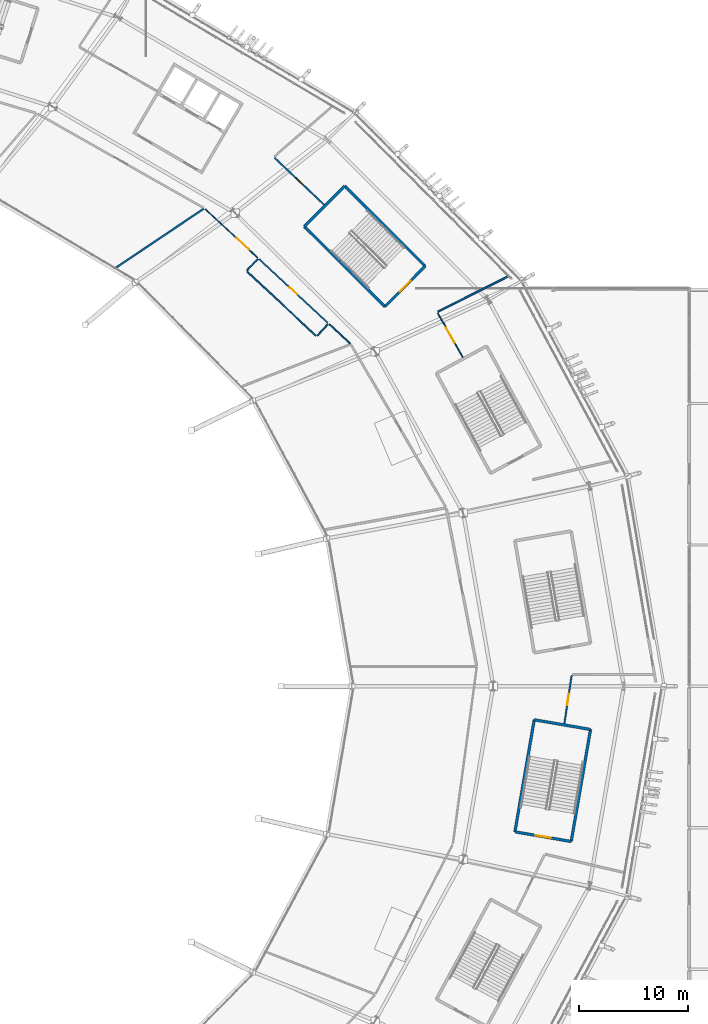
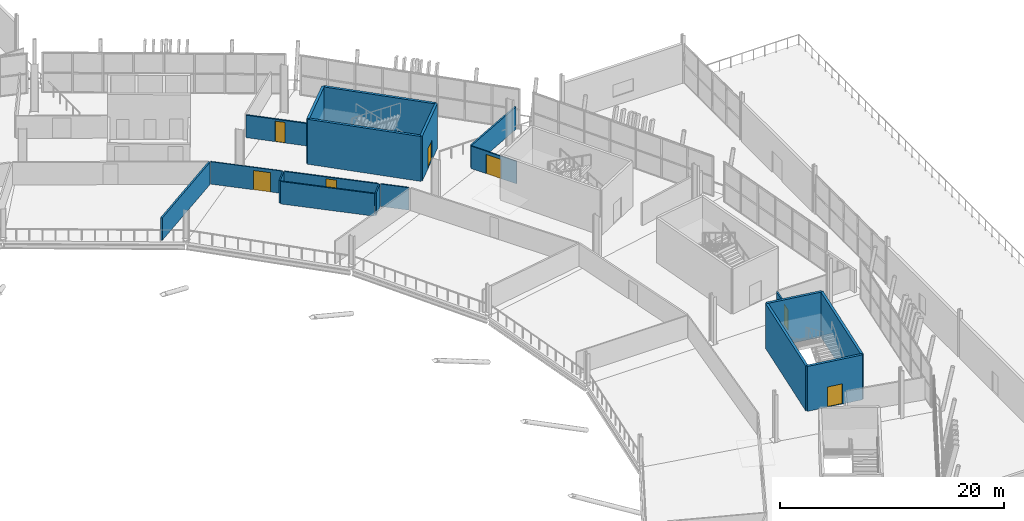
# One storey, part 123 of 168: 19 walls, 7 doors, 7 openings.
"""IFC4 building model written with IfcOpenShell, lengths in metres."""

from ifc_helpers import new_model, si_unit, direction, frame, frame_2d, origin, place, context, subcontext, project, spatial, rectangle, extrude, material, layer, layer_set, type_object, element, fill, save


model = new_model("IFC4")

# Units and contexts
model_context = context("Model", 3, precision=1e-05, world=origin(), true_north=direction((0.0, 1.0)))
body_context = subcontext(model_context, "Body", "Model", "MODEL_VIEW")
ifc_project = project(units=[si_unit("LENGTHUNIT", "METRE"), si_unit("AREAUNIT", "SQUARE_METRE"), si_unit("VOLUMEUNIT", "CUBIC_METRE"), si_unit("PLANEANGLEUNIT", "RADIAN"), si_unit("MASSUNIT", "GRAM", prefix="KILO")], contexts=[model_context])

# Site, building, storey
site_placement = place(None, origin())
site = spatial("IfcSite", under=ifc_project, at=site_placement, CompositionType="ELEMENT")
building_placement = place(site_placement, origin())
building = spatial("IfcBuilding", under=site, at=building_placement, Name="Zlatoyarsky Gate Stadium", CompositionType="ELEMENT")
storey_placement = place(building_placement, frame((0.0, 0.0, 15.60009765625)))
storey = spatial("IfcBuildingStorey", under=building, at=storey_placement, Name="L03", CompositionType="ELEMENT", Elevation=15.60009765625)

# Walls
ifc_material_1 = material(Name="Double-stud acoustic gypsum partition", Category="gypsum")
ifc_layer_1 = layer(ifc_material_1, 0.169921875)
ifc_layer_set_1 = layer_set([ifc_layer_1], Name="Double-stud acoustic gypsum partition")
wall_type_1 = type_object("IfcWallType", Name="ACOUSTIC BROADCAST STUDIO WALL 170", PredefinedType="PARTITIONING", material=ifc_layer_set_1)
wall_1_placement = place(storey_placement, frame((157.302734375, 118.470703125, 0.0), z_axis=(0.0, 0.0, 1.0), x_axis=(0.830081401919, 0.557642238526, 0.0)))
element("IfcWall", 1, at=wall_1_placement, inside=storey, type_object=wall_type_1, Name="L03 interior partition PRT-L03-IRD-03", PredefinedType="PARTITIONING", context=body_context, shape_type="SweptSolid", body=[
    extrude(rectangle(XDim=9.716796875, YDim=0.169921875, at=frame_2d((4.8583984375, 0.0))), origin(), (0.0, 0.0, 1.0), 2.449951171875),
])
ifc_material_2 = material(Name="Anodised aluminium acoustic operable wall", Category="aluminium")
ifc_layer_2 = layer(ifc_material_2, 0.114990234375)
ifc_layer_set_2 = layer_set([ifc_layer_2], Name="Anodised aluminium acoustic operable wall")
wall_type_2 = type_object("IfcWallType", Name="ACOUSTIC OPERABLE SUITE WALL 115", PredefinedType="MOVABLE", material=ifc_layer_set_2)
wall_2_placement = place(storey_placement, frame((178.837158203125, 111.502685546875, 0.0), z_axis=(0.0, 0.0, 1.0), x_axis=(-0.732978614057, 0.680251682347, 0.0)))
element("IfcWall", 2, at=wall_2_placement, inside=storey, type_object=wall_type_2, Name="L03 interior partition PRT-L03-WCL-02", PredefinedType="MOVABLE", context=body_context, shape_type="SweptSolid", body=[
    extrude(rectangle(XDim=2.6298828125, YDim=0.114990234375, at=frame_2d((1.31494140625, 0.0))), origin(), (0.0, 0.0, 1.0), 2.449951171875),
])

# Wall, opening, door
ifc_material_3 = material(Name="Metal-stud gypsum partition", Category="gypsum")
ifc_layer_3 = layer(ifc_material_3, 0.14990234375)
ifc_layer_set_3 = layer_set([ifc_layer_3], Name="Metal-stud gypsum partition")
wall_type_3 = type_object("IfcWallType", Name="CONCOURSE CORRIDOR PARTITION 150", PredefinedType="PARTITIONING", material=ifc_layer_set_3)
wall_3_placement = place(storey_placement, frame((176.439208984375, 124.270263671875, 0.0), z_axis=(0.0, 0.0, 1.0), x_axis=(-0.72578901813, 0.687917365068, 0.0)))
wall_3 = element("IfcWall", 3, at=wall_3_placement, inside=storey, type_object=wall_type_3, Name="L03 interior partition PRT-L03-OCC-02-1", PredefinedType="PARTITIONING", context=body_context, shape_type="SweptSolid", body=[
    extrude(rectangle(XDim=6.2724609375, YDim=0.14990234375, at=frame_2d((3.13623046875, 0.0))), origin(), (0.0, 0.0, 1.0), 2.449951171875),
])
opening_1_placement = place(wall_3_placement, frame((2.686279296875, 0.0, 0.0)))
opening_1 = element("IfcOpeningElement", 4, at=opening_1_placement, cuts=wall_3, Name="Opening D-L03-452", PredefinedType="OPENING", context=body_context, shape_type="SweptSolid", body=[
    extrude(rectangle(XDim=0.89990234375, YDim=2.239990234375, at=frame_2d((0.449951171875, 1.1201171875))), frame((0.0, 0.0849609375, 0.0), z_axis=(0.0, -1.0, 0.0), x_axis=(1.0, 0.0, 0.0)), (0.0, 0.0, 1.0), 0.169921875),
])
ifc_material_4 = material(Name="Powder-coated steel fire door", Category="steel")
door_type_1 = type_object("IfcDoorType", Name="ACOUSTIC INTERIOR DOOR 900X2240", OperationType="NOTDEFINED", PredefinedType="DOOR", material=ifc_material_4)
door_1_placement = place(opening_1_placement, origin())
door_1 = element("IfcDoor", 5, at=door_1_placement, inside=storey, type_object=door_type_1, Name="L03 room door D-L03-452", OperationType="SINGLE_SWING_RIGHT", OverallHeight=2.239990234375, OverallWidth=0.89990234375, PredefinedType="DOOR", context=body_context, shape_type="SweptSolid", body=[
    extrude(rectangle(XDim=0.89990234375, YDim=2.239990234375, at=frame_2d((0.449951171875, 1.1201171875))), frame((0.0, 0.02490234375, 0.0), z_axis=(0.0, -1.0, 0.0), x_axis=(1.0, 0.0, 0.0)), (0.0, 0.0, 1.0), 0.050048828125),
])
fill(opening_1, door_1)

wall_4_placement = place(storey_placement, frame((198.53662109375, 76.576904296875, 0.0), z_axis=(0.0, 0.0, 1.0), x_axis=(0.148364476021, 0.988932749106, 0.0)))
wall_4 = element("IfcWall", 6, at=wall_4_placement, inside=storey, type_object=wall_type_3, Name="L03 interior partition PRT-L03-OCC-23-1", PredefinedType="PARTITIONING", context=body_context, shape_type="SweptSolid", body=[
    extrude(rectangle(XDim=4.47265625, YDim=0.14990234375, at=frame_2d((2.236328125, 0.0))), origin(), (0.0, 0.0, 1.0), 2.449951171875),
])
opening_2_placement = place(wall_4_placement, frame((1.726318359375, 0.0, 0.0)))
opening_2 = element("IfcOpeningElement", 7, at=opening_2_placement, cuts=wall_4, Name="Opening D-L03-492", PredefinedType="OPENING", context=body_context, shape_type="SweptSolid", body=[
    extrude(rectangle(XDim=1.02001953125, YDim=2.239990234375, at=frame_2d((0.510009765625, 1.1201171875))), frame((0.0, 0.0849609375, 0.0), z_axis=(0.0, -1.0, 0.0), x_axis=(1.0, 0.0, 0.0)), (0.0, 0.0, 1.0), 0.169921875),
])
door_type_2 = type_object("IfcDoorType", Name="ACOUSTIC INTERIOR DOOR 1020X2240", OperationType="NOTDEFINED", PredefinedType="DOOR", material=ifc_material_4)
door_2_placement = place(opening_2_placement, origin())
door_2 = element("IfcDoor", 8, at=door_2_placement, inside=storey, type_object=door_type_2, Name="L03 room door D-L03-492", OperationType="SINGLE_SWING_LEFT", OverallHeight=2.239990234375, OverallWidth=1.02001953125, PredefinedType="DOOR", context=body_context, shape_type="SweptSolid", body=[
    extrude(rectangle(XDim=1.02001953125, YDim=2.239990234375, at=frame_2d((0.510009765625, 1.1201171875))), frame((0.0, 0.02490234375, 0.0), z_axis=(0.0, -1.0, 0.0), x_axis=(1.0, 0.0, 0.0)), (0.0, 0.0, 1.0), 0.050048828125),
])
fill(opening_2, door_2)

ifc_material_5 = material(Name="Concrete C40/50", Category="concrete")
ifc_layer_4 = layer(ifc_material_5, 0.25)
ifc_layer_set_4 = layer_set([ifc_layer_4], Name="Concrete C40/50")
wall_type_4 = type_object("IfcWallType", Name="CONCRETE STAIR CORE SHEAR WALL 250", PredefinedType="SHEAR", material=ifc_layer_set_4)
wall_5_placement = place(storey_placement, frame((182.038818359375, 114.89794921875, 0.0), z_axis=(0.0, 0.0, 1.0), x_axis=(0.705314141126, 0.708894888067, 0.0)))
wall_5 = element("IfcWall", 9, at=wall_5_placement, inside=storey, type_object=wall_type_4, Name="ST-02 L03 stair core entrance shear wall", PredefinedType="SHEAR", context=body_context, shape_type="SweptSolid", body=[
    extrude(rectangle(XDim=5.25, YDim=0.25, at=frame_2d((2.625, 0.0))), origin(), (0.0, 0.0, 1.0), 4.89990234375),
])
opening_3_placement = place(wall_5_placement, frame((1.925048828125, 0.0, 0.0)))
opening_3 = element("IfcOpeningElement", 10, at=opening_3_placement, cuts=wall_5, Name="Opening SD-ST-02-L03", PredefinedType="OPENING", context=body_context, shape_type="SweptSolid", body=[
    extrude(rectangle(XDim=1.39990234375, YDim=2.199951171875, at=frame_2d((0.699951171875, 1.10009765625))), frame((0.0, 0.135009765625, 0.0), z_axis=(0.0, -1.0, 0.0), x_axis=(1.0, 0.0, 0.0)), (0.0, 0.0, 1.0), 0.27001953125),
])
door_type_3 = type_object("IfcDoorType", Name="STAIR CORE FIRE EXIT DOOR 1400X2200", OperationType="NOTDEFINED", PredefinedType="DOOR", material=ifc_material_4)
door_3_placement = place(opening_3_placement, frame((1.39990234375, 0.0, 0.0), z_axis=(0.0, 0.0, 1.0), x_axis=(-1.0, 0.0, 0.0)))
door_3 = element("IfcDoor", 11, at=door_3_placement, inside=storey, type_object=door_type_3, Name="ST-02 L03 stair fire door", OperationType="SINGLE_SWING_LEFT", OverallHeight=2.199951171875, OverallWidth=1.39990234375, PredefinedType="DOOR", context=body_context, shape_type="SweptSolid", body=[
    extrude(rectangle(XDim=1.39990234375, YDim=2.199951171875, at=frame_2d((0.699951171875, 1.10009765625))), frame((0.0, 0.02490234375, 0.0), z_axis=(0.0, -1.0, 0.0), x_axis=(1.0, 0.0, 0.0)), (0.0, 0.0, 1.0), 0.050048828125),
])
fill(opening_3, door_3)

# Walls
wall_6_placement = place(storey_placement, frame((185.74169921875, 118.61962890625, 0.0), z_axis=(0.0, 0.0, 1.0), x_axis=(-0.708891762409, 0.705317282639, 0.0)))
element("IfcWall", 12, at=wall_6_placement, inside=storey, type_object=wall_type_4, Name="ST-02 L03 stair core left shear wall", PredefinedType="SHEAR", context=body_context, shape_type="SweptSolid", body=[
    extrude(rectangle(XDim=10.449951171875, YDim=0.25, at=frame_2d((5.22509765625, 0.0))), origin(), (0.0, 0.0, 1.0), 4.89990234375),
])
wall_7_placement = place(storey_placement, frame((178.333740234375, 125.990234375, 0.0), z_axis=(0.0, 0.0, 1.0), x_axis=(-0.705314141126, -0.708894888067, 0.0)))
element("IfcWall", 13, at=wall_7_placement, inside=storey, type_object=wall_type_4, Name="ST-02 L03 stair core far shear wall", PredefinedType="SHEAR", context=body_context, shape_type="SweptSolid", body=[
    extrude(rectangle(XDim=5.25, YDim=0.25, at=frame_2d((2.625, 0.0))), origin(), (0.0, 0.0, 1.0), 4.89990234375),
])
wall_8_placement = place(storey_placement, frame((174.630859375, 122.2685546875, 0.0), z_axis=(0.0, 0.0, 1.0), x_axis=(0.708891762409, -0.705317282639, 0.0)))
element("IfcWall", 14, at=wall_8_placement, inside=storey, type_object=wall_type_4, Name="ST-02 L03 stair core right shear wall", PredefinedType="SHEAR", context=body_context, shape_type="SweptSolid", body=[
    extrude(rectangle(XDim=10.449951171875, YDim=0.25, at=frame_2d((5.22509765625, 0.0))), origin(), (0.0, 0.0, 1.0), 4.89990234375),
])

# Wall, opening, door
wall_9_placement = place(storey_placement, frame((193.98681640625, 66.625244140625, 0.0), z_axis=(0.0, 0.0, 1.0), x_axis=(0.985457162135, -0.16992404655, 0.0)))
wall_9 = element("IfcWall", 15, at=wall_9_placement, inside=storey, type_object=wall_type_4, Name="ST-20 L03 stair core entrance shear wall", PredefinedType="SHEAR", context=body_context, shape_type="SweptSolid", body=[
    extrude(rectangle(XDim=5.25, YDim=0.25, at=frame_2d((2.625, 0.0))), origin(), (0.0, 0.0, 1.0), 4.89990234375),
])
opening_4_placement = place(wall_9_placement, frame((1.925048828125, 0.0, 0.0)))
opening_4 = element("IfcOpeningElement", 16, at=opening_4_placement, cuts=wall_9, Name="Opening SD-ST-20-L03", PredefinedType="OPENING", context=body_context, shape_type="SweptSolid", body=[
    extrude(rectangle(XDim=1.39990234375, YDim=2.199951171875, at=frame_2d((0.699951171875, 1.10009765625))), frame((0.0, 0.135009765625, 0.0), z_axis=(0.0, -1.0, 0.0), x_axis=(1.0, 0.0, 0.0)), (0.0, 0.0, 1.0), 0.27001953125),
])
door_4_placement = place(opening_4_placement, frame((1.39990234375, 0.0, 0.0), z_axis=(0.0, 0.0, 1.0), x_axis=(-1.0, 0.0, 0.0)))
door_4 = element("IfcDoor", 17, at=door_4_placement, inside=storey, type_object=door_type_3, Name="ST-20 L03 stair fire door", OperationType="SINGLE_SWING_LEFT", OverallHeight=2.199951171875, OverallWidth=1.39990234375, PredefinedType="DOOR", context=body_context, shape_type="SweptSolid", body=[
    extrude(rectangle(XDim=1.39990234375, YDim=2.199951171875, at=frame_2d((0.699951171875, 1.10009765625))), frame((0.0, 0.02490234375, 0.0), z_axis=(0.0, -1.0, 0.0), x_axis=(1.0, 0.0, 0.0)), (0.0, 0.0, 1.0), 0.050048828125),
])
fill(opening_4, door_4)

# Walls
wall_10_placement = place(storey_placement, frame((199.160400390625, 65.733154296875, 0.0), z_axis=(0.0, 0.0, 1.0), x_axis=(0.169938992676, 0.985454584833, 0.0)))
element("IfcWall", 18, at=wall_10_placement, inside=storey, type_object=wall_type_4, Name="ST-20 L03 stair core left shear wall", PredefinedType="SHEAR", context=body_context, shape_type="SweptSolid", body=[
    extrude(rectangle(XDim=10.4501953125, YDim=0.25, at=frame_2d((5.22509765625, 0.0))), origin(), (0.0, 0.0, 1.0), 4.89990234375),
])
wall_11_placement = place(storey_placement, frame((200.936279296875, 76.03125, 0.0), z_axis=(0.0, 0.0, 1.0), x_axis=(-0.985458504796, 0.169916259745, 0.0)))
element("IfcWall", 19, at=wall_11_placement, inside=storey, type_object=wall_type_4, Name="ST-20 L03 stair core far shear wall", PredefinedType="SHEAR", context=body_context, shape_type="SweptSolid", body=[
    extrude(rectangle(XDim=5.250244140625, YDim=0.25, at=frame_2d((2.625, 0.0))), origin(), (0.0, 0.0, 1.0), 4.89990234375),
])
wall_12_placement = place(storey_placement, frame((195.762451171875, 76.92333984375, 0.0), z_axis=(0.0, 0.0, 1.0), x_axis=(-0.16991630471, -0.985458497043, 0.0)))
element("IfcWall", 20, at=wall_12_placement, inside=storey, type_object=wall_type_4, Name="ST-20 L03 stair core right shear wall", PredefinedType="SHEAR", context=body_context, shape_type="SweptSolid", body=[
    extrude(rectangle(XDim=10.449951171875, YDim=0.25, at=frame_2d((5.22509765625, 0.0))), origin(), (0.0, 0.0, 1.0), 4.89990234375),
])

# Wall, opening, door
ifc_material_6 = material(Name="Timber-veneered acoustic operable partition", Category="wood")
ifc_layer_5 = layer(ifc_material_6, 0.094970703125)
ifc_layer_set_5 = layer_set([ifc_layer_5], Name="Timber-veneered acoustic operable partition")
wall_type_5 = type_object("IfcWallType", Name="FOLDING BANQUET SALON WALL 95", PredefinedType="MOVABLE", material=ifc_layer_set_5)
wall_13_placement = place(storey_placement, frame((170.33447265625, 119.393310546875, 0.0), z_axis=(0.0, 0.0, 1.0), x_axis=(-0.732995223413, 0.680233785146, 0.0)))
wall_13 = element("IfcWall", 21, at=wall_13_placement, inside=storey, type_object=wall_type_5, Name="L03 interior partition PRT-L03-ICC-02", PredefinedType="MOVABLE", context=body_context, shape_type="SweptSolid", body=[
    extrude(rectangle(XDim=6.59375, YDim=0.094970703125, at=frame_2d((3.296875, 0.0))), origin(), (0.0, 0.0, 1.0), 2.449951171875),
])
opening_5_placement = place(wall_13_placement, frame((1.10009765625, 0.0, 0.0)))
opening_5 = element("IfcOpeningElement", 22, at=opening_5_placement, cuts=wall_13, Name="Opening D-L03-399", PredefinedType="OPENING", context=body_context, shape_type="SweptSolid", body=[
    extrude(rectangle(XDim=1.56005859375, YDim=2.10009765625, at=frame_2d((0.780029296875, 1.050048828125))), frame((0.0, 0.057373046875, 0.0), z_axis=(0.0, -1.0, 0.0), x_axis=(1.0, 0.0, 0.0)), (0.0, 0.0, 1.0), 0.114990234375),
])
ifc_material_7 = material(Name="Solid-core oak veneer acoustic door", Category="wood")
door_type_4 = type_object("IfcDoorType", Name="ACOUSTIC INTERIOR DOOR 1560X2100", OperationType="NOTDEFINED", PredefinedType="DOOR", material=ifc_material_7)
door_5_placement = place(opening_5_placement, origin())
door_5 = element("IfcDoor", 23, at=door_5_placement, inside=storey, type_object=door_type_4, Name="L03 room door D-L03-399", OperationType="SINGLE_SWING_LEFT", OverallHeight=2.10009765625, OverallWidth=1.56005859375, PredefinedType="DOOR", context=body_context, shape_type="SweptSolid", body=[
    extrude(rectangle(XDim=1.56005859375, YDim=2.10009765625, at=frame_2d((0.780029296875, 1.050048828125))), frame((0.0, 0.02490234375, 0.0), z_axis=(0.0, -1.0, 0.0), x_axis=(1.0, 0.0, 0.0)), (0.0, 0.0, 1.0), 0.050048828125),
])
fill(opening_5, door_5)

wall_14_placement = place(storey_placement, frame((189.2021484375, 110.232421875, 0.0), z_axis=(0.0, 0.0, 1.0), x_axis=(-0.491534087668, 0.870858335586, 0.0)))
wall_14 = element("IfcWall", 24, at=wall_14_placement, inside=storey, type_object=wall_type_5, Name="L03 interior partition PRT-L03-OCC-01-1", PredefinedType="MOVABLE", context=body_context, shape_type="SweptSolid", body=[
    extrude(rectangle(XDim=4.7060546875, YDim=0.094970703125, at=frame_2d((2.35302734375, 0.0))), origin(), (0.0, 0.0, 1.0), 2.449951171875),
])
opening_6_placement = place(wall_14_placement, frame((1.572998046875, 0.0, 0.0)))
opening_6 = element("IfcOpeningElement", 25, at=opening_6_placement, cuts=wall_14, Name="Opening D-L03-449", PredefinedType="OPENING", context=body_context, shape_type="SweptSolid", body=[
    extrude(rectangle(XDim=1.56005859375, YDim=2.10009765625, at=frame_2d((0.780029296875, 1.050048828125))), frame((0.0, 0.057373046875, 0.0), z_axis=(0.0, -1.0, 0.0), x_axis=(1.0, 0.0, 0.0)), (0.0, 0.0, 1.0), 0.114990234375),
])
door_6_placement = place(opening_6_placement, origin())
door_6 = element("IfcDoor", 26, at=door_6_placement, inside=storey, type_object=door_type_4, Name="L03 room door D-L03-449", OperationType="SINGLE_SWING_LEFT", OverallHeight=2.10009765625, OverallWidth=1.56005859375, PredefinedType="DOOR", context=body_context, shape_type="SweptSolid", body=[
    extrude(rectangle(XDim=1.56005859375, YDim=2.10009765625, at=frame_2d((0.780029296875, 1.050048828125))), frame((0.0, 0.02490234375, 0.0), z_axis=(0.0, -1.0, 0.0), x_axis=(1.0, 0.0, 0.0)), (0.0, 0.0, 1.0), 0.050048828125),
])
fill(opening_6, door_6)

# Wall
ifc_material_8 = material(Name="Acoustic metal-stud gypsum partition", Category="gypsum")
ifc_layer_6 = layer(ifc_material_8, 0.159912109375)
ifc_layer_set_6 = layer_set([ifc_layer_6], Name="Acoustic metal-stud gypsum partition")
wall_type_6 = type_object("IfcWallType", Name="HOSPITALITY SUITE PARTITION 160", PredefinedType="PARTITIONING", material=ifc_layer_set_6)
wall_15_placement = place(storey_placement, frame((186.923095703125, 114.44287109375, 0.0), z_axis=(0.0, 0.0, 1.0), x_axis=(0.893822831602, 0.448420277984, 0.0)))
element("IfcWall", 27, at=wall_15_placement, inside=storey, type_object=wall_type_6, Name="L03 interior partition PRT-L03-ORD-01R", PredefinedType="PARTITIONING", context=body_context, shape_type="SweptSolid", body=[
    extrude(rectangle(XDim=7.2001953125, YDim=0.159912109375, at=frame_2d((3.60009765625, 0.0))), origin(), (0.0, 0.0, 1.0), 2.449951171875),
])

# Wall, opening, door
ifc_material_9 = material(Name="Moisture-resistant tile-backed partition", Category="gypsum")
ifc_layer_7 = layer(ifc_material_9, 0.1298828125)
ifc_layer_set_7 = layer_set([ifc_layer_7], Name="Moisture-resistant tile-backed partition")
wall_type_7 = type_object("IfcWallType", Name="SANITARY WET ROOM PARTITION 130", PredefinedType="PARTITIONING", material=ifc_layer_set_7)
wall_16_placement = place(storey_placement, frame((176.784912109375, 113.4072265625, 0.0), z_axis=(0.0, 0.0, 1.0), x_axis=(-0.73300806751, 0.680219944551, 0.0)))
wall_16 = element("IfcWall", 28, at=wall_16_placement, inside=storey, type_object=wall_type_7, Name="L03 interior partition PRT-L03-WC02-F", PredefinedType="PARTITIONING", context=body_context, shape_type="SweptSolid", body=[
    extrude(rectangle(XDim=8.630126953125, YDim=0.1298828125, at=frame_2d((4.31494140625, 0.0))), origin(), (0.0, 0.0, 1.0), 2.449951171875),
])
opening_7_placement = place(wall_16_placement, frame((3.8349609375, 0.0, 0.0)))
opening_7 = element("IfcOpeningElement", 29, at=opening_7_placement, cuts=wall_16, Name="Opening D-L03-394", PredefinedType="OPENING", context=body_context, shape_type="SweptSolid", body=[
    extrude(rectangle(XDim=0.9599609375, YDim=2.239990234375, at=frame_2d((0.47998046875, 1.1201171875))), frame((0.0, 0.074951171875, 0.0), z_axis=(0.0, -1.0, 0.0), x_axis=(1.0, 0.0, 0.0)), (0.0, 0.0, 1.0), 0.14990234375),
])
door_type_5 = type_object("IfcDoorType", Name="ACOUSTIC INTERIOR DOOR 960X2240", OperationType="NOTDEFINED", PredefinedType="DOOR", material=ifc_material_7)
door_7_placement = place(opening_7_placement, origin())
door_7 = element("IfcDoor", 30, at=door_7_placement, inside=storey, type_object=door_type_5, Name="L03 room door D-L03-394", OperationType="SINGLE_SWING_RIGHT", OverallHeight=2.239990234375, OverallWidth=0.9599609375, PredefinedType="DOOR", context=body_context, shape_type="SweptSolid", body=[
    extrude(rectangle(XDim=0.9599609375, YDim=2.239990234375, at=frame_2d((0.47998046875, 1.1201171875))), frame((0.0, 0.02490234375, 0.0), z_axis=(0.0, -1.0, 0.0), x_axis=(1.0, 0.0, 0.0)), (0.0, 0.0, 1.0), 0.050048828125),
])
fill(opening_7, door_7)

# Walls
wall_17_placement = place(storey_placement, frame((175.6962890625, 112.234619140625, 0.0), z_axis=(0.0, 0.0, 1.0), x_axis=(-0.732994977595, 0.68023405003, 0.0)))
element("IfcWall", 31, at=wall_17_placement, inside=storey, type_object=wall_type_7, Name="L03 interior partition PRT-L03-WC02-B", PredefinedType="PARTITIONING", context=body_context, shape_type="SweptSolid", body=[
    extrude(rectangle(XDim=8.6298828125, YDim=0.1298828125, at=frame_2d((4.31494140625, 0.0))), origin(), (0.0, 0.0, 1.0), 2.449951171875),
])
for number, where, z_axis, x_axis, name in (
    (32, (176.789306640625, 113.287109375, 0.0), (0.0, 0.0, 1.0), (-0.68032667307, -0.732909010662, 0.0), "L03 interior partition PRT-L03-WC02-L"),
    (33, (170.339111328125, 119.273193359375, 0.0), (0.0, 0.0, 1.0), (-0.68032667307, -0.732909010662, 0.0), "L03 interior partition PRT-L03-WC02-R"),
):
    element("IfcWall", number, at=place(storey_placement, frame(where, z_axis=z_axis, x_axis=x_axis)), inside=storey, type_object=wall_type_7, Name=name, PredefinedType="PARTITIONING", context=body_context, shape_type="SweptSolid", body=[
        extrude(rectangle(XDim=1.429931640625, YDim=0.1298828125, at=frame_2d((0.71484375, 0.0))), origin(), (0.0, 0.0, 1.0), 2.449951171875),
    ])

save(model, "model.ifc")
